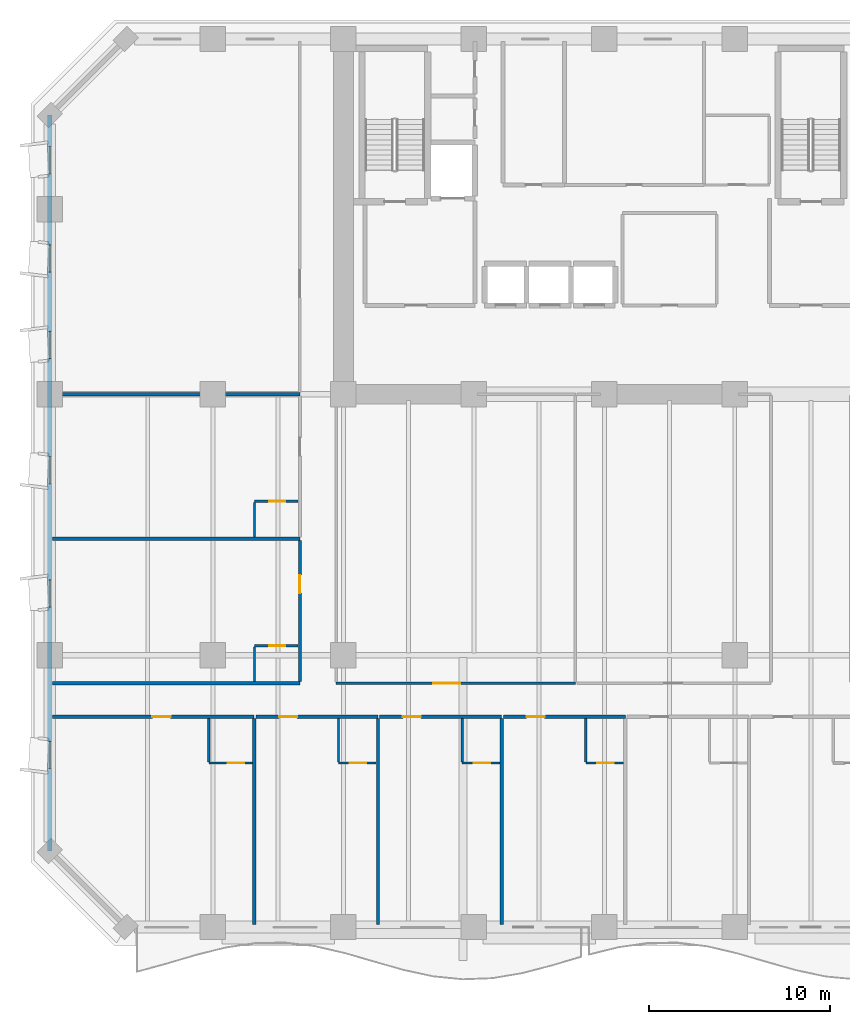
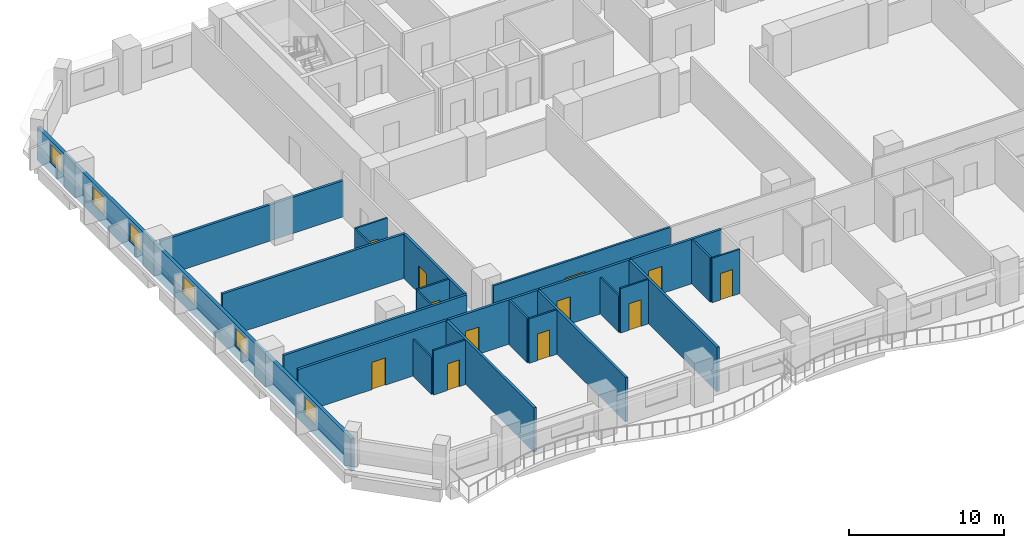
# One storey, part 4 of 15: 25 walls, 12 doors, 6 windows, 18 openings.
"""IFC4 building model written with IfcOpenShell, lengths in metres."""

import ifcopenshell
import ifcopenshell.guid

model = None  # the IFC model being written
_history = None  # IfcOwnerHistory: only IFC2X3 demands one
_inside = {}  # id of a spatial element -> (the spatial element, [elements in it])
_under = {}  # id of a project, library or spatial element -> (it, [spatial elements below it])
_declared = {}  # id of a project -> (the project, [libraries it declares])
_typed = {}  # id of a type object -> (the type object, [elements of that type])
_made_of = {}  # id of a material, layer set ... -> (it, [elements and type objects made of it])


def new_model(schema):
    """Start an empty IFC model of exactly this schema.

    Asked for "IFC4X3", IfcOpenShell would pick the latest addendum, in which some entities
    have other attributes; the version numbers below select the first issue.
    IFC2X3 requires an IfcOwnerHistory on every rooted entity: one is made here for all.
    """
    global model, _history
    if schema == "IFC4X3":
        model = ifcopenshell.file(schema_version=(4, 3, 0, 0))
    else:
        model = ifcopenshell.file(schema=schema)
    _inside.clear()
    _under.clear()
    _declared.clear()
    _typed.clear()
    _made_of.clear()
    _history = None
    if model.schema == "IFC2X3":
        org = make("IfcOrganization", Name="unknown")
        user = make(
            "IfcPersonAndOrganization",
            ThePerson=make("IfcPerson", FamilyName="unknown"),
            TheOrganization=org,
        )
        app = make(
            "IfcApplication",
            ApplicationDeveloper=org,
            Version="unknown",
            ApplicationFullName="unknown",
            ApplicationIdentifier="unknown",
        )
        _history = make(
            "IfcOwnerHistory",
            OwningUser=user,
            OwningApplication=app,
            ChangeAction="ADDED",
            CreationDate=0,
        )
    return model


def make(cls, **values):
    """One entity of the class cls with the attributes given. An attribute that is None is left unset."""
    return model.create_entity(
        cls, **{name: value for name, value in values.items() if value is not None}
    )


def rooted(cls, **values):
    """An entity with a GlobalId (a new one), such as an element, a storey or a relation."""
    return make(cls, GlobalId=ifcopenshell.guid.new(), OwnerHistory=_history, **values)


def si_unit(unit_type, name, prefix=None):
    """IfcSIUnit, for example si_unit("LENGTHUNIT", "METRE", prefix="MILLI")."""
    return make("IfcSIUnit", UnitType=unit_type, Prefix=prefix, Name=name)


def assignment(units):
    """IfcUnitAssignment: the units of a project."""
    return None if units is None else make("IfcUnitAssignment", Units=units)


def point(xyz):
    """IfcCartesianPoint."""
    return None if xyz is None else make("IfcCartesianPoint", Coordinates=xyz)


def direction(xyz):
    """IfcDirection."""
    return None if xyz is None else make("IfcDirection", DirectionRatios=xyz)


def frame(location, z_axis=None, x_axis=None):
    """IfcAxis2Placement3D, a coordinate frame: its origin and axes. An axis left out is left unset."""
    return make(
        "IfcAxis2Placement3D",
        Location=point(location),
        Axis=direction(z_axis),
        RefDirection=direction(x_axis),
    )


def frame_2d(location, x_axis=None):
    """IfcAxis2Placement2D, a coordinate frame in the plane: its origin and x axis."""
    return make(
        "IfcAxis2Placement2D", Location=point(location), RefDirection=direction(x_axis)
    )


def origin():
    """The frame at (0, 0, 0) with its axes left unset."""
    return frame((0.0, 0.0, 0.0))


def place(relative_to, where):
    """IfcLocalPlacement: puts the frame where relative to a parent placement (None: the world)."""
    return make(
        "IfcLocalPlacement", PlacementRelTo=relative_to, RelativePlacement=where
    )


def context(
    kind, dimensions, precision=None, world=None, true_north=None, identifier=None
):
    """IfcGeometricRepresentationContext, for example the 3D "Model" context."""
    return make(
        "IfcGeometricRepresentationContext",
        ContextIdentifier=identifier,
        ContextType=kind,
        CoordinateSpaceDimension=dimensions,
        Precision=precision,
        WorldCoordinateSystem=world,
        TrueNorth=true_north,
    )


def subcontext(parent, identifier, kind, view, scale=None):
    """IfcGeometricRepresentationSubContext, for example "Body" below "Model"."""
    return make(
        "IfcGeometricRepresentationSubContext",
        ContextIdentifier=identifier,
        ContextType=kind,
        ParentContext=parent,
        TargetScale=scale,
        TargetView=view,
    )


def project(units=None, contexts=None):
    """IfcProject with its units and contexts."""
    return rooted(
        "IfcProject",
        Name="project",
        RepresentationContexts=contexts,
        UnitsInContext=assignment(units),
    )


def spatial(cls, under=None, at=None, **own):
    """A site, building, storey or space (cls), placed at a placement, below another one or the project."""
    s = rooted(cls, ObjectPlacement=at, **own)
    if under is not None:
        _under.setdefault(under.id(), (under, []))[1].append(s)
    return s


def profile(cls, at=None, kind="AREA", **sizes):
    """A parametric profile (cls). Its sizes go by their IFC names, for example OverallWidth=200.0."""
    return make(cls, ProfileType=kind, Position=at, **sizes)


def rectangle(**sizes):
    """IfcRectangleProfileDef."""
    return profile("IfcRectangleProfileDef", **sizes)


def extrude(swept, where, along, depth):
    """IfcExtrudedAreaSolid: the profile swept, set in the frame where, extruded along a direction by depth."""
    return make(
        "IfcExtrudedAreaSolid",
        SweptArea=swept,
        Position=where,
        ExtrudedDirection=direction(along),
        Depth=depth,
    )


def shape(context_of_items, identifier, shape_type, items):
    """IfcShapeRepresentation: the items that make up one representation, for example the "Body"."""
    return make(
        "IfcShapeRepresentation",
        ContextOfItems=context_of_items,
        RepresentationIdentifier=identifier,
        RepresentationType=shape_type,
        Items=items,
    )


def material(Name=None, Category=None):
    """IfcMaterial."""
    return make("IfcMaterial", Name=Name, Category=Category)


def layer(
    of_material, thickness, ventilated=None, Name=None, Category=None, Priority=None
):
    """IfcMaterialLayer: one layer of a wall or slab, of a material (None: an air gap)."""
    return make(
        "IfcMaterialLayer",
        Material=of_material,
        LayerThickness=thickness,
        IsVentilated=ventilated,
        Name=Name,
        Category=Category,
        Priority=Priority,
    )


def layer_set(layers, Name=None):
    """IfcMaterialLayerSet."""
    return make("IfcMaterialLayerSet", MaterialLayers=layers, LayerSetName=Name)


def made_of(thing, what):
    """Note that an element or type object is made of a material, layer set ...; save() writes the relation."""
    if what is not None:
        _made_of.setdefault(what.id(), (what, []))[1].append(thing)
    return thing


def type_object(cls, material=None, **own):
    """A type object (cls), such as IfcWallType, which elements share."""
    return made_of(rooted(cls, **own), material)


def element(
    cls,
    number,
    at=None,
    inside=None,
    cuts=None,
    type_object=None,
    material=None,
    context=None,
    identifier="Body",
    shape_type=None,
    held_by="IfcProductDefinitionShape",
    body=None,
    shapes=None,
    **own,
):
    """One element of the class cls, such as IfcWall. Its Tag is "e" and its number.

    at: its placement. inside: the storey or other place that contains it. cuts: it is an
    opening in that element (IfcRelVoidsElement). A single representation is given by context,
    identifier, shape_type and body (its items); several are given by shapes. held_by: the class
    of the entity that holds the representations. save() writes the other relations.
    """
    e = rooted(cls, Tag="e%d" % number, ObjectPlacement=at, **own)
    if body is not None:
        shapes = [shape(context, identifier, shape_type, body)]
    if shapes is not None:
        e.Representation = make(held_by, Representations=shapes)
    if inside is not None:
        _inside.setdefault(inside.id(), (inside, []))[1].append(e)
    if cuts is not None:
        rooted(
            "IfcRelVoidsElement", RelatingBuildingElement=cuts, RelatedOpeningElement=e
        )
    if type_object is not None:
        _typed.setdefault(type_object.id(), (type_object, []))[1].append(e)
    return made_of(e, material)


def fill(opening, filler):
    """IfcRelFillsElement: the door or window that sits in an opening."""
    return rooted(
        "IfcRelFillsElement",
        RelatingOpeningElement=opening,
        RelatedBuildingElement=filler,
    )


def aggregate(whole, parts):
    """IfcRelAggregates: a whole, such as a stair, and the parts it consists of."""
    return rooted("IfcRelAggregates", RelatingObject=whole, RelatedObjects=parts)


def save(model, path):
    """Write the relations noted so far, then the file.

    IfcRelAggregates (storeys below a building ...), IfcRelContainedInSpatialStructure (elements
    in a storey), IfcRelDefinesByType, IfcRelAssociatesMaterial and IfcRelDeclares: one each for
    every whole, place, type object, material and project.
    """
    for whole, parts in _under.values():
        aggregate(whole, parts)
    for where, things in _inside.values():
        rooted(
            "IfcRelContainedInSpatialStructure",
            RelatedElements=things,
            RelatingStructure=where,
        )
    for kind, things in _typed.values():
        rooted("IfcRelDefinesByType", RelatedObjects=things, RelatingType=kind)
    for what, things in _made_of.values():
        rooted("IfcRelAssociatesMaterial", RelatedObjects=things, RelatingMaterial=what)
    for by, libraries in _declared.values():
        rooted("IfcRelDeclares", RelatingContext=by, RelatedDefinitions=libraries)
    model.write(path)


model = new_model("IFC4")

# Units and contexts
model_context = context("Model", 3, precision=1e-05, world=origin(), true_north=direction((0.0, 1.0)))
body_context = subcontext(model_context, "Body", "Model", "MODEL_VIEW")
ifc_project = project(units=[si_unit("LENGTHUNIT", "METRE"), si_unit("AREAUNIT", "SQUARE_METRE"), si_unit("VOLUMEUNIT", "CUBIC_METRE"), si_unit("PLANEANGLEUNIT", "RADIAN"), si_unit("MASSUNIT", "GRAM", prefix="KILO")], contexts=[model_context])

# Site, building, storey
site_placement = place(None, origin())
site = spatial("IfcSite", under=ifc_project, at=site_placement, CompositionType="ELEMENT")
building_placement = place(site_placement, origin())
building = spatial("IfcBuilding", under=site, at=building_placement, Name="Kaelvorn Grand Hotel", CompositionType="ELEMENT")
storey_placement = place(building_placement, frame((0.0, 0.0, 50.14990234375)))
storey = spatial("IfcBuildingStorey", under=building, at=storey_placement, Name="L10", CompositionType="ELEMENT", Elevation=50.14990234375)

# Wall, openings, windows
ifc_material_1 = material(Name="Concrete C40/50", Category="concrete")
ifc_layer_1 = layer(ifc_material_1, 0.260009765625)
ifc_layer_set_1 = layer_set([ifc_layer_1], Name="Concrete C40/50")
wall_type_1 = type_object("IfcWallType", Name="WL-EXT-260-C40", PredefinedType="SOLIDWALL", material=ifc_layer_set_1)
wall_1_placement = place(storey_placement, frame((0.0, 44.800048828125, 0.0), z_axis=(0.0, 0.0, 1.0), x_axis=(0.0, -1.0, 0.0)))
wall_1 = element("IfcWall", 1, at=wall_1_placement, inside=storey, type_object=wall_type_1, Name="L10 Exterior Architectural Concrete Wall 07", PredefinedType="SOLIDWALL", context=body_context, shape_type="SweptSolid", body=[
    extrude(rectangle(XDim=40.60009765625, YDim=0.260009765625, at=frame_2d((20.300048828125, 0.0))), origin(), (0.0, 0.0, 1.0), 2.56005859375),
])
opening_1_placement = place(wall_1_placement, frame((34.550048828125, 0.0, 0.85009765625)))
opening_1 = element("IfcOpeningElement", 2, at=opening_1_placement, cuts=wall_1, Name="Opening W10", PredefinedType="OPENING", context=body_context, shape_type="SweptSolid", body=[
    extrude(rectangle(XDim=1.5, YDim=1.39990234375, at=frame_2d((0.75, 0.699951171875))), frame((0.0, 0.14013671875, 0.0), z_axis=(0.0, -1.0, 0.0), x_axis=(1.0, 0.0, 0.0)), (0.0, 0.0, 1.0), 0.280029296875),
])
opening_2_placement = place(wall_1_placement, frame((25.639892578125, 0.0, 0.85009765625)))
opening_2 = element("IfcOpeningElement", 3, at=opening_2_placement, cuts=wall_1, Name="Opening W10", PredefinedType="OPENING", context=body_context, shape_type="SweptSolid", body=[
    extrude(rectangle(XDim=1.5, YDim=1.39990234375, at=frame_2d((0.75, 0.699951171875))), frame((0.0, 0.14013671875, 0.0), z_axis=(0.0, -1.0, 0.0), x_axis=(1.0, 0.0, 0.0)), (0.0, 0.0, 1.0), 0.280029296875),
])
opening_3_placement = place(wall_1_placement, frame((18.840087890625, 0.0, 0.85009765625)))
opening_3 = element("IfcOpeningElement", 4, at=opening_3_placement, cuts=wall_1, Name="Opening W10", PredefinedType="OPENING", context=body_context, shape_type="SweptSolid", body=[
    extrude(rectangle(XDim=1.5, YDim=1.39990234375, at=frame_2d((0.75, 0.699951171875))), frame((0.0, 0.14013671875, 0.0), z_axis=(0.0, -1.0, 0.0), x_axis=(1.0, 0.0, 0.0)), (0.0, 0.0, 1.0), 0.280029296875),
])
opening_4_placement = place(wall_1_placement, frame((11.93505859375, 0.0, 0.85009765625)))
opening_4 = element("IfcOpeningElement", 5, at=opening_4_placement, cuts=wall_1, Name="Opening W10", PredefinedType="OPENING", context=body_context, shape_type="SweptSolid", body=[
    extrude(rectangle(XDim=1.5, YDim=1.39990234375, at=frame_2d((0.75, 0.699951171875))), frame((0.0, 0.14013671875, 0.0), z_axis=(0.0, -1.0, 0.0), x_axis=(1.0, 0.0, 0.0)), (0.0, 0.0, 1.0), 0.280029296875),
])
opening_5_placement = place(wall_1_placement, frame((7.1650390625, 0.0, 0.85009765625)))
opening_5 = element("IfcOpeningElement", 6, at=opening_5_placement, cuts=wall_1, Name="Opening W10", PredefinedType="OPENING", context=body_context, shape_type="SweptSolid", body=[
    extrude(rectangle(XDim=1.5, YDim=1.39990234375, at=frame_2d((0.75, 0.699951171875))), frame((0.0, 0.14013671875, 0.0), z_axis=(0.0, -1.0, 0.0), x_axis=(1.0, 0.0, 0.0)), (0.0, 0.0, 1.0), 0.280029296875),
])
opening_6_placement = place(wall_1_placement, frame((1.735107421875, 0.0, 0.85009765625)))
opening_6 = element("IfcOpeningElement", 7, at=opening_6_placement, cuts=wall_1, Name="Opening W10", PredefinedType="OPENING", context=body_context, shape_type="SweptSolid", body=[
    extrude(rectangle(XDim=1.5, YDim=1.39990234375, at=frame_2d((0.75, 0.699951171875))), frame((0.0, 0.14013671875, 0.0), z_axis=(0.0, -1.0, 0.0), x_axis=(1.0, 0.0, 0.0)), (0.0, 0.0, 1.0), 0.280029296875),
])
ifc_material_2 = material(Name="Laminated Low-E Glass", Category="glass")
window_type = type_object("IfcWindowType", Name="WIN-COR-1500x1400", PartitioningType="SINGLE_PANEL", PredefinedType="WINDOW", material=ifc_material_2)
window_1_placement = place(opening_1_placement, origin())
window_1 = element("IfcWindow", 8, at=window_1_placement, inside=storey, type_object=window_type, Name="L10 W Wing Tilted-Frame Ribbon Window W01", OverallHeight=1.39990234375, OverallWidth=1.5, PartitioningType="SINGLE_PANEL", PredefinedType="WINDOW", context=body_context, shape_type="SweptSolid", body=[
    extrude(rectangle(XDim=1.5, YDim=1.39990234375, at=frame_2d((0.75, 0.699951171875))), frame((0.0, 0.030029296875, 0.0), z_axis=(0.0, -1.0, 0.0), x_axis=(1.0, 0.0, 0.0)), (0.0, 0.0, 1.0), 0.06005859375),
])
fill(opening_1, window_1)
window_2_placement = place(opening_2_placement, origin())
window_2 = element("IfcWindow", 9, at=window_2_placement, inside=storey, type_object=window_type, Name="L10 W Wing Tilted-Frame Ribbon Window W02", OverallHeight=1.39990234375, OverallWidth=1.5, PartitioningType="SINGLE_PANEL", PredefinedType="WINDOW", context=body_context, shape_type="SweptSolid", body=[
    extrude(rectangle(XDim=1.5, YDim=1.39990234375, at=frame_2d((0.75, 0.699951171875))), frame((0.0, 0.030029296875, 0.0), z_axis=(0.0, -1.0, 0.0), x_axis=(1.0, 0.0, 0.0)), (0.0, 0.0, 1.0), 0.06005859375),
])
fill(opening_2, window_2)
window_3_placement = place(opening_3_placement, origin())
window_3 = element("IfcWindow", 10, at=window_3_placement, inside=storey, type_object=window_type, Name="L10 W Wing Tilted-Frame Ribbon Window W03", OverallHeight=1.39990234375, OverallWidth=1.5, PartitioningType="SINGLE_PANEL", PredefinedType="WINDOW", context=body_context, shape_type="SweptSolid", body=[
    extrude(rectangle(XDim=1.5, YDim=1.39990234375, at=frame_2d((0.75, 0.699951171875))), frame((0.0, 0.030029296875, 0.0), z_axis=(0.0, -1.0, 0.0), x_axis=(1.0, 0.0, 0.0)), (0.0, 0.0, 1.0), 0.06005859375),
])
fill(opening_3, window_3)
window_4_placement = place(opening_4_placement, origin())
window_4 = element("IfcWindow", 11, at=window_4_placement, inside=storey, type_object=window_type, Name="L10 W Wing Tilted-Frame Ribbon Window W04", OverallHeight=1.39990234375, OverallWidth=1.5, PartitioningType="SINGLE_PANEL", PredefinedType="WINDOW", context=body_context, shape_type="SweptSolid", body=[
    extrude(rectangle(XDim=1.5, YDim=1.39990234375, at=frame_2d((0.75, 0.699951171875))), frame((0.0, 0.030029296875, 0.0), z_axis=(0.0, -1.0, 0.0), x_axis=(1.0, 0.0, 0.0)), (0.0, 0.0, 1.0), 0.06005859375),
])
fill(opening_4, window_4)
window_5_placement = place(opening_5_placement, origin())
window_5 = element("IfcWindow", 12, at=window_5_placement, inside=storey, type_object=window_type, Name="L10 W Wing Tilted-Frame Ribbon Window W05", OverallHeight=1.39990234375, OverallWidth=1.5, PartitioningType="SINGLE_PANEL", PredefinedType="WINDOW", context=body_context, shape_type="SweptSolid", body=[
    extrude(rectangle(XDim=1.5, YDim=1.39990234375, at=frame_2d((0.75, 0.699951171875))), frame((0.0, 0.030029296875, 0.0), z_axis=(0.0, -1.0, 0.0), x_axis=(1.0, 0.0, 0.0)), (0.0, 0.0, 1.0), 0.06005859375),
])
fill(opening_5, window_5)
window_6_placement = place(opening_6_placement, origin())
window_6 = element("IfcWindow", 13, at=window_6_placement, inside=storey, type_object=window_type, Name="L10 W Wing Tilted-Frame Ribbon Window W06", OverallHeight=1.39990234375, OverallWidth=1.5, PartitioningType="SINGLE_PANEL", PredefinedType="WINDOW", context=body_context, shape_type="SweptSolid", body=[
    extrude(rectangle(XDim=1.5, YDim=1.39990234375, at=frame_2d((0.75, 0.699951171875))), frame((0.0, 0.030029296875, 0.0), z_axis=(0.0, -1.0, 0.0), x_axis=(1.0, 0.0, 0.0)), (0.0, 0.0, 1.0), 0.06005859375),
])
fill(opening_6, window_6)

# Wall, opening, door
ifc_material_3 = material(Name="Moisture-Resistant Tile & Stud Board")
ifc_layer_2 = layer(ifc_material_3, 0.125)
ifc_layer_set_2 = layer_set([ifc_layer_2], Name="Moisture-Resistant Tile & Stud Board")
wall_type_2 = type_object("IfcWallType", Name="WL-PART-125-WET", PredefinedType="PARTITIONING", material=ifc_layer_set_2)
wall_2_placement = place(storey_placement, frame((8.77734375, 9.050048828125, 0.0), z_axis=(0.0, 0.0, 1.0), x_axis=(1.0, 0.0, 0.0)))
wall_2 = element("IfcWall", 14, at=wall_2_placement, inside=storey, type_object=wall_type_2, Name="L10 En-suite Bathroom L10-01 S Partition", PredefinedType="PARTITIONING", context=body_context, shape_type="SweptSolid", body=[
    extrude(rectangle(XDim=2.405029296875, YDim=0.125, at=frame_2d((1.20263671875, 0.0))), origin(), (0.0, 0.0, 1.0), 3.510009765625),
])
opening_7_placement = place(wall_2_placement, frame((1.050048828125, 0.0, 0.0)))
opening_7 = element("IfcOpeningElement", 15, at=opening_7_placement, cuts=wall_2, Name="Opening DI4", PredefinedType="OPENING", context=body_context, shape_type="SweptSolid", body=[
    extrude(rectangle(XDim=0.89990234375, YDim=2.10009765625, at=frame_2d((0.449951171875, 1.050048828125))), frame((0.0, 0.072509765625, 0.0), z_axis=(0.0, -1.0, 0.0), x_axis=(1.0, 0.0, 0.0)), (0.0, 0.0, 1.0), 0.14501953125),
])
ifc_material_4 = material(Name="Timber Veneer Leaf", Category="wood")
door_type_1 = type_object("IfcDoorType", Name="DR-INT-BATH-900x2100", OperationType="NOTDEFINED", PredefinedType="DOOR", material=ifc_material_4)
door_1_placement = place(opening_7_placement, origin())
door_1 = element("IfcDoor", 16, at=door_1_placement, inside=storey, type_object=door_type_1, Name="L10 En-suite Bathroom L10-01 Door", OperationType="SINGLE_SWING_LEFT", OverallHeight=2.10009765625, OverallWidth=0.89990234375, PredefinedType="DOOR", context=body_context, shape_type="SweptSolid", body=[
    extrude(rectangle(XDim=0.89990234375, YDim=2.10009765625, at=frame_2d((0.449951171875, 1.050048828125))), frame((0.0, 0.02490234375, 0.0), z_axis=(0.0, -1.0, 0.0), x_axis=(1.0, 0.0, 0.0)), (0.0, 0.0, 1.0), 0.050048828125),
])
fill(opening_7, door_1)

# Wall
wall_3_placement = place(storey_placement, frame((8.77734375, 9.117431640625, 0.0), z_axis=(0.0, 0.0, 1.0), x_axis=(0.0, 1.0, 0.0)))
element("IfcWall", 17, at=wall_3_placement, inside=storey, type_object=wall_type_2, Name="L10 En-suite Bathroom L10-01 W Partition", PredefinedType="PARTITIONING", context=body_context, shape_type="SweptSolid", body=[
    extrude(rectangle(XDim=2.387451171875, YDim=0.125, at=frame_2d((1.19384765625, 0.0))), origin(), (0.0, 0.0, 1.0), 2.89794921875),
])

# Wall, opening, door
wall_4_placement = place(storey_placement, frame((15.924560546875, 9.050048828125, 0.0), z_axis=(0.0, 0.0, 1.0), x_axis=(1.0, 0.0, 0.0)))
wall_4 = element("IfcWall", 18, at=wall_4_placement, inside=storey, type_object=wall_type_2, Name="L10 En-suite Bathroom L10-02 S Partition", PredefinedType="PARTITIONING", context=body_context, shape_type="SweptSolid", body=[
    extrude(rectangle(XDim=2.0849609375, YDim=0.125, at=frame_2d((1.04248046875, 0.0))), origin(), (0.0, 0.0, 1.0), 3.510009765625),
])
opening_8_placement = place(wall_4_placement, frame((0.639892578125, 0.0, 0.0)))
opening_8 = element("IfcOpeningElement", 19, at=opening_8_placement, cuts=wall_4, Name="Opening DI4", PredefinedType="OPENING", context=body_context, shape_type="SweptSolid", body=[
    extrude(rectangle(XDim=0.89990234375, YDim=2.10009765625, at=frame_2d((0.449951171875, 1.050048828125))), frame((0.0, 0.072509765625, 0.0), z_axis=(0.0, -1.0, 0.0), x_axis=(1.0, 0.0, 0.0)), (0.0, 0.0, 1.0), 0.14501953125),
])
door_2_placement = place(opening_8_placement, origin())
door_2 = element("IfcDoor", 20, at=door_2_placement, inside=storey, type_object=door_type_1, Name="L10 En-suite Bathroom L10-02 Door", OperationType="SINGLE_SWING_LEFT", OverallHeight=2.10009765625, OverallWidth=0.89990234375, PredefinedType="DOOR", context=body_context, shape_type="SweptSolid", body=[
    extrude(rectangle(XDim=0.89990234375, YDim=2.10009765625, at=frame_2d((0.449951171875, 1.050048828125))), frame((0.0, 0.02490234375, 0.0), z_axis=(0.0, -1.0, 0.0), x_axis=(1.0, 0.0, 0.0)), (0.0, 0.0, 1.0), 0.050048828125),
])
fill(opening_8, door_2)

# Wall
wall_5_placement = place(storey_placement, frame((15.924560546875, 9.117431640625, 0.0), z_axis=(0.0, 0.0, 1.0), x_axis=(0.0, 1.0, 0.0)))
element("IfcWall", 21, at=wall_5_placement, inside=storey, type_object=wall_type_2, Name="L10 En-suite Bathroom L10-02 W Partition", PredefinedType="PARTITIONING", context=body_context, shape_type="SweptSolid", body=[
    extrude(rectangle(XDim=2.387451171875, YDim=0.125, at=frame_2d((1.19384765625, 0.0))), origin(), (0.0, 0.0, 1.0), 3.510009765625),
])

# Wall, opening, door
wall_6_placement = place(storey_placement, frame((22.751708984375, 9.050048828125, 0.0), z_axis=(0.0, 0.0, 1.0), x_axis=(1.0, 0.0, 0.0)))
wall_6 = element("IfcWall", 22, at=wall_6_placement, inside=storey, type_object=wall_type_2, Name="L10 En-suite Bathroom L10-03 S Partition", PredefinedType="PARTITIONING", context=body_context, shape_type="SweptSolid", body=[
    extrude(rectangle(XDim=2.085205078125, YDim=0.125, at=frame_2d((1.04248046875, 0.0))), origin(), (0.0, 0.0, 1.0), 3.510009765625),
])
opening_9_placement = place(wall_6_placement, frame((0.639892578125, 0.0, 0.0)))
opening_9 = element("IfcOpeningElement", 23, at=opening_9_placement, cuts=wall_6, Name="Opening DI4", PredefinedType="OPENING", context=body_context, shape_type="SweptSolid", body=[
    extrude(rectangle(XDim=0.89990234375, YDim=2.10009765625, at=frame_2d((0.449951171875, 1.050048828125))), frame((0.0, 0.072509765625, 0.0), z_axis=(0.0, -1.0, 0.0), x_axis=(1.0, 0.0, 0.0)), (0.0, 0.0, 1.0), 0.14501953125),
])
door_3_placement = place(opening_9_placement, origin())
door_3 = element("IfcDoor", 24, at=door_3_placement, inside=storey, type_object=door_type_1, Name="L10 En-suite Bathroom L10-03 Door", OperationType="SINGLE_SWING_LEFT", OverallHeight=2.10009765625, OverallWidth=0.89990234375, PredefinedType="DOOR", context=body_context, shape_type="SweptSolid", body=[
    extrude(rectangle(XDim=0.89990234375, YDim=2.10009765625, at=frame_2d((0.449951171875, 1.050048828125))), frame((0.0, 0.02490234375, 0.0), z_axis=(0.0, -1.0, 0.0), x_axis=(1.0, 0.0, 0.0)), (0.0, 0.0, 1.0), 0.050048828125),
])
fill(opening_9, door_3)

# Wall
wall_7_placement = place(storey_placement, frame((22.751708984375, 9.117431640625, 0.0), z_axis=(0.0, 0.0, 1.0), x_axis=(0.0, 1.0, 0.0)))
element("IfcWall", 25, at=wall_7_placement, inside=storey, type_object=wall_type_2, Name="L10 En-suite Bathroom L10-03 W Partition", PredefinedType="PARTITIONING", context=body_context, shape_type="SweptSolid", body=[
    extrude(rectangle(XDim=2.387451171875, YDim=0.125, at=frame_2d((1.19384765625, 0.0))), origin(), (0.0, 0.0, 1.0), 2.880126953125),
])

# Wall, opening, door
wall_8_placement = place(storey_placement, frame((29.5791015625, 9.050048828125, 0.0), z_axis=(0.0, 0.0, 1.0), x_axis=(1.0, 0.0, 0.0)))
wall_8 = element("IfcWall", 26, at=wall_8_placement, inside=storey, type_object=wall_type_2, Name="L10 En-suite Bathroom L10-04 S Partition", PredefinedType="PARTITIONING", context=body_context, shape_type="SweptSolid", body=[
    extrude(rectangle(XDim=2.0849609375, YDim=0.125, at=frame_2d((1.04248046875, 0.0))), origin(), (0.0, 0.0, 1.0), 3.510009765625),
])
opening_10_placement = place(wall_8_placement, frame((0.639892578125, 0.0, 0.0)))
opening_10 = element("IfcOpeningElement", 27, at=opening_10_placement, cuts=wall_8, Name="Opening DI4", PredefinedType="OPENING", context=body_context, shape_type="SweptSolid", body=[
    extrude(rectangle(XDim=0.89990234375, YDim=2.10009765625, at=frame_2d((0.449951171875, 1.050048828125))), frame((0.0, 0.072509765625, 0.0), z_axis=(0.0, -1.0, 0.0), x_axis=(1.0, 0.0, 0.0)), (0.0, 0.0, 1.0), 0.14501953125),
])
door_4_placement = place(opening_10_placement, origin())
door_4 = element("IfcDoor", 28, at=door_4_placement, inside=storey, type_object=door_type_1, Name="L10 En-suite Bathroom L10-04 Door", OperationType="SINGLE_SWING_LEFT", OverallHeight=2.10009765625, OverallWidth=0.89990234375, PredefinedType="DOOR", context=body_context, shape_type="SweptSolid", body=[
    extrude(rectangle(XDim=0.89990234375, YDim=2.10009765625, at=frame_2d((0.449951171875, 1.050048828125))), frame((0.0, 0.02490234375, 0.0), z_axis=(0.0, -1.0, 0.0), x_axis=(1.0, 0.0, 0.0)), (0.0, 0.0, 1.0), 0.050048828125),
])
fill(opening_10, door_4)

# Wall
wall_9_placement = place(storey_placement, frame((29.5791015625, 9.117431640625, 0.0), z_axis=(0.0, 0.0, 1.0), x_axis=(0.0, 1.0, 0.0)))
element("IfcWall", 29, at=wall_9_placement, inside=storey, type_object=wall_type_2, Name="L10 En-suite Bathroom L10-04 W Partition", PredefinedType="PARTITIONING", context=body_context, shape_type="SweptSolid", body=[
    extrude(rectangle(XDim=2.387451171875, YDim=0.125, at=frame_2d((1.19384765625, 0.0))), origin(), (0.0, 0.0, 1.0), 3.510009765625),
])

# Wall, opening, door
wall_10_placement = place(storey_placement, frame((11.300048828125, 15.52001953125, 0.0), z_axis=(0.0, 0.0, 1.0), x_axis=(1.0, 0.0, 0.0)))
wall_10 = element("IfcWall", 30, at=wall_10_placement, inside=storey, type_object=wall_type_2, Name="L10 En-suite Bathroom L10-12 N Partition", PredefinedType="PARTITIONING", context=body_context, shape_type="SweptSolid", body=[
    extrude(rectangle(XDim=2.405029296875, YDim=0.125, at=frame_2d((1.20263671875, 0.0))), origin(), (0.0, 0.0, 1.0), 3.510009765625),
])
opening_11_placement = place(wall_10_placement, frame((0.800048828125, 0.0, 0.0)))
opening_11 = element("IfcOpeningElement", 31, at=opening_11_placement, cuts=wall_10, Name="Opening DI4", PredefinedType="OPENING", context=body_context, shape_type="SweptSolid", body=[
    extrude(rectangle(XDim=0.89990234375, YDim=2.10009765625, at=frame_2d((0.449951171875, 1.050048828125))), frame((0.0, 0.072509765625, 0.0), z_axis=(0.0, -1.0, 0.0), x_axis=(1.0, 0.0, 0.0)), (0.0, 0.0, 1.0), 0.14501953125),
])
door_5_placement = place(opening_11_placement, origin())
door_5 = element("IfcDoor", 32, at=door_5_placement, inside=storey, type_object=door_type_1, Name="L10 En-suite Bathroom L10-12 Door", OperationType="SINGLE_SWING_LEFT", OverallHeight=2.10009765625, OverallWidth=0.89990234375, PredefinedType="DOOR", context=body_context, shape_type="SweptSolid", body=[
    extrude(rectangle(XDim=0.89990234375, YDim=2.10009765625, at=frame_2d((0.449951171875, 1.050048828125))), frame((0.0, 0.02490234375, 0.0), z_axis=(0.0, -1.0, 0.0), x_axis=(1.0, 0.0, 0.0)), (0.0, 0.0, 1.0), 0.050048828125),
])
fill(opening_11, door_5)

# Wall
wall_11_placement = place(storey_placement, frame((11.300048828125, 13.544921875, 0.0), z_axis=(0.0, 0.0, 1.0), x_axis=(0.0, 1.0, 0.0)))
element("IfcWall", 33, at=wall_11_placement, inside=storey, type_object=wall_type_2, Name="L10 En-suite Bathroom L10-12 W Partition", PredefinedType="PARTITIONING", context=body_context, shape_type="SweptSolid", body=[
    extrude(rectangle(XDim=1.907470703125, YDim=0.125, at=frame_2d((0.95361328125, 0.0))), origin(), (0.0, 0.0, 1.0), 3.510009765625),
])

# Wall, opening, door
wall_12_placement = place(storey_placement, frame((11.300048828125, 23.489990234375, 0.0), z_axis=(0.0, 0.0, 1.0), x_axis=(1.0, 0.0, 0.0)))
wall_12 = element("IfcWall", 34, at=wall_12_placement, inside=storey, type_object=wall_type_2, Name="L10 En-suite Bathroom L10-13 N Partition", PredefinedType="PARTITIONING", context=body_context, shape_type="SweptSolid", body=[
    extrude(rectangle(XDim=2.405029296875, YDim=0.125, at=frame_2d((1.20263671875, 0.0))), origin(), (0.0, 0.0, 1.0), 3.510009765625),
])
opening_12_placement = place(wall_12_placement, frame((0.800048828125, 0.0, 0.0)))
opening_12 = element("IfcOpeningElement", 35, at=opening_12_placement, cuts=wall_12, Name="Opening DI4", PredefinedType="OPENING", context=body_context, shape_type="SweptSolid", body=[
    extrude(rectangle(XDim=0.89990234375, YDim=2.10009765625, at=frame_2d((0.449951171875, 1.050048828125))), frame((0.0, 0.072509765625, 0.0), z_axis=(0.0, -1.0, 0.0), x_axis=(1.0, 0.0, 0.0)), (0.0, 0.0, 1.0), 0.14501953125),
])
door_6_placement = place(opening_12_placement, origin())
door_6 = element("IfcDoor", 36, at=door_6_placement, inside=storey, type_object=door_type_1, Name="L10 En-suite Bathroom L10-13 Door", OperationType="SINGLE_SWING_LEFT", OverallHeight=2.10009765625, OverallWidth=0.89990234375, PredefinedType="DOOR", context=body_context, shape_type="SweptSolid", body=[
    extrude(rectangle(XDim=0.89990234375, YDim=2.10009765625, at=frame_2d((0.449951171875, 1.050048828125))), frame((0.0, 0.02490234375, 0.0), z_axis=(0.0, -1.0, 0.0), x_axis=(1.0, 0.0, 0.0)), (0.0, 0.0, 1.0), 0.050048828125),
])
fill(opening_12, door_6)

# Wall
wall_13_placement = place(storey_placement, frame((11.300048828125, 21.514892578125, 0.0), z_axis=(0.0, 0.0, 1.0), x_axis=(0.0, 1.0, 0.0)))
element("IfcWall", 37, at=wall_13_placement, inside=storey, type_object=wall_type_2, Name="L10 En-suite Bathroom L10-13 W Partition", PredefinedType="PARTITIONING", context=body_context, shape_type="SweptSolid", body=[
    extrude(rectangle(XDim=1.90771484375, YDim=0.125, at=frame_2d((0.953857421875, 0.0))), origin(), (0.0, 0.0, 1.0), 3.510009765625),
])

# Wall, opening, door
ifc_material_5 = material(Name="Acoustic Gypsum & Stud Partition")
ifc_layer_3 = layer(ifc_material_5, 0.14990234375)
ifc_layer_set_3 = layer_set([ifc_layer_3], Name="Acoustic Gypsum & Stud Partition")
wall_type_3 = type_object("IfcWallType", Name="WL-PART-150-EI60", PredefinedType="PARTITIONING", material=ifc_layer_set_3)
wall_14_placement = place(storey_placement, frame((15.800048828125, 13.449951171875, 0.0), z_axis=(0.0, 0.0, 1.0), x_axis=(1.0, 0.0, 0.0)))
wall_14 = element("IfcWall", 38, at=wall_14_placement, inside=storey, type_object=wall_type_3, Name="L10 Reading Library Lounge S Partition", PredefinedType="PARTITIONING", context=body_context, shape_type="SweptSolid", body=[
    extrude(rectangle(XDim=13.199951171875, YDim=0.14990234375, at=frame_2d((6.60009765625, 0.0))), origin(), (0.0, 0.0, 1.0), 3.510009765625),
])
opening_13_placement = place(wall_14_placement, frame((5.35009765625, 0.0, 0.0)))
opening_13 = element("IfcOpeningElement", 39, at=opening_13_placement, cuts=wall_14, Name="Opening DI5", PredefinedType="OPENING", context=body_context, shape_type="SweptSolid", body=[
    extrude(rectangle(XDim=1.5, YDim=2.25, at=frame_2d((0.75, 1.125))), frame((0.0, 0.0849609375, 0.0), z_axis=(0.0, -1.0, 0.0), x_axis=(1.0, 0.0, 0.0)), (0.0, 0.0, 1.0), 0.169921875),
])
ifc_material_6 = material(Name="Timber Veneer Fire Leaf", Category="wood")
door_type_2 = type_object("IfcDoorType", Name="DR-INT-SALON-1500x2250", OperationType="DOUBLE_DOOR_SINGLE_SWING", PredefinedType="DOOR", material=ifc_material_6)
door_7_placement = place(opening_13_placement, origin())
door_7 = element("IfcDoor", 40, at=door_7_placement, inside=storey, type_object=door_type_2, Name="L10 Reading Library Lounge Door", OperationType="DOUBLE_DOOR_SINGLE_SWING", OverallHeight=2.25, OverallWidth=1.5, PredefinedType="DOOR", context=body_context, shape_type="SweptSolid", body=[
    extrude(rectangle(XDim=1.5, YDim=2.25, at=frame_2d((0.75, 1.125))), frame((0.0, 0.02490234375, 0.0), z_axis=(0.0, -1.0, 0.0), x_axis=(1.0, 0.0, 0.0)), (0.0, 0.0, 1.0), 0.050048828125),
])
fill(opening_13, door_7)

ifc_layer_4 = layer(ifc_material_5, 0.179931640625)
ifc_layer_set_4 = layer_set([ifc_layer_4], Name="Acoustic Gypsum & Stud Partition")
wall_type_4 = type_object("IfcWallType", Name="WL-PART-180-EI60", PredefinedType="PARTITIONING", material=ifc_layer_set_4)
wall_15_placement = place(storey_placement, frame((0.14990234375, 11.60009765625, 0.0), z_axis=(0.0, 0.0, 1.0), x_axis=(1.0, 0.0, 0.0)))
wall_15 = element("IfcWall", 41, at=wall_15_placement, inside=storey, type_object=wall_type_4, Name="L10 Deluxe Panoramic Suite L10-01 N Partition", PredefinedType="PARTITIONING", context=body_context, shape_type="SweptSolid", body=[
    extrude(rectangle(XDim=11.12744140625, YDim=0.179931640625, at=frame_2d((5.563720703125, 0.0))), origin(), (0.0, 0.0, 1.0), 3.510009765625),
])
opening_14_placement = place(wall_15_placement, frame((5.513671875, 0.0, 0.0)))
opening_14 = element("IfcOpeningElement", 42, at=opening_14_placement, cuts=wall_15, Name="Opening DI3", PredefinedType="OPENING", context=body_context, shape_type="SweptSolid", body=[
    extrude(rectangle(XDim=1.0, YDim=2.14990234375, at=frame_2d((0.5, 1.074951171875))), frame((0.0, 0.10009765625, 0.0), z_axis=(0.0, -1.0, 0.0), x_axis=(1.0, 0.0, 0.0)), (0.0, 0.0, 1.0), 0.199951171875),
])
door_type_3 = type_object("IfcDoorType", Name="DR-INT-GUEST-1000x2150", OperationType="NOTDEFINED", PredefinedType="DOOR", material=ifc_material_6)
door_8_placement = place(opening_14_placement, origin())
door_8 = element("IfcDoor", 43, at=door_8_placement, inside=storey, type_object=door_type_3, Name="L10 Deluxe Panoramic Suite L10-01 Door", OperationType="SINGLE_SWING_RIGHT", OverallHeight=2.14990234375, OverallWidth=1.0, PredefinedType="DOOR", context=body_context, shape_type="SweptSolid", body=[
    extrude(rectangle(XDim=1.0, YDim=2.14990234375, at=frame_2d((0.5, 1.074951171875))), frame((0.0, 0.02490234375, 0.0), z_axis=(0.0, -1.0, 0.0), x_axis=(1.0, 0.0, 0.0)), (0.0, 0.0, 1.0), 0.050048828125),
])
fill(opening_14, door_8)

# Wall
wall_16_placement = place(storey_placement, frame((11.27734375, 0.14990234375, 0.0), z_axis=(0.0, 0.0, 1.0), x_axis=(0.0, 1.0, 0.0)))
element("IfcWall", 44, at=wall_16_placement, inside=storey, type_object=wall_type_4, Name="L10 Deluxe Panoramic Suite L10-01 E Partition", PredefinedType="PARTITIONING", context=body_context, shape_type="SweptSolid", body=[
    extrude(rectangle(XDim=11.35498046875, YDim=0.179931640625, at=frame_2d((5.677490234375, 0.0))), origin(), (0.0, 0.0, 1.0), 3.510009765625),
])

# Wall, opening, door
wall_17_placement = place(storey_placement, frame((11.372314453125, 11.60009765625, 0.0), z_axis=(0.0, 0.0, 1.0), x_axis=(1.0, 0.0, 0.0)))
wall_17 = element("IfcWall", 45, at=wall_17_placement, inside=storey, type_object=wall_type_4, Name="L10 Deluxe Panoramic Suite L10-02 N Partition", PredefinedType="PARTITIONING", context=body_context, shape_type="SweptSolid", body=[
    extrude(rectangle(XDim=6.732177734375, YDim=0.179931640625, at=frame_2d((3.3662109375, 0.0))), origin(), (0.0, 0.0, 1.0), 3.510009765625),
])
opening_15_placement = place(wall_17_placement, frame((1.278564453125, 0.0, 0.0)))
opening_15 = element("IfcOpeningElement", 46, at=opening_15_placement, cuts=wall_17, Name="Opening DI3", PredefinedType="OPENING", context=body_context, shape_type="SweptSolid", body=[
    extrude(rectangle(XDim=1.0, YDim=2.14990234375, at=frame_2d((0.5, 1.074951171875))), frame((0.0, 0.10009765625, 0.0), z_axis=(0.0, -1.0, 0.0), x_axis=(1.0, 0.0, 0.0)), (0.0, 0.0, 1.0), 0.199951171875),
])
door_9_placement = place(opening_15_placement, origin())
door_9 = element("IfcDoor", 47, at=door_9_placement, inside=storey, type_object=door_type_3, Name="L10 Deluxe Panoramic Suite L10-02 Door", OperationType="SINGLE_SWING_RIGHT", OverallHeight=2.14990234375, OverallWidth=1.0, PredefinedType="DOOR", context=body_context, shape_type="SweptSolid", body=[
    extrude(rectangle(XDim=1.0, YDim=2.14990234375, at=frame_2d((0.5, 1.074951171875))), frame((0.0, 0.02490234375, 0.0), z_axis=(0.0, -1.0, 0.0), x_axis=(1.0, 0.0, 0.0)), (0.0, 0.0, 1.0), 0.050048828125),
])
fill(opening_15, door_9)

# Wall
wall_18_placement = place(storey_placement, frame((18.1044921875, 0.14990234375, 0.0), z_axis=(0.0, 0.0, 1.0), x_axis=(0.0, 1.0, 0.0)))
element("IfcWall", 48, at=wall_18_placement, inside=storey, type_object=wall_type_4, Name="L10 Deluxe Panoramic Suite L10-02 E Partition", PredefinedType="PARTITIONING", context=body_context, shape_type="SweptSolid", body=[
    extrude(rectangle(XDim=11.35498046875, YDim=0.179931640625, at=frame_2d((5.677490234375, 0.0))), origin(), (0.0, 0.0, 1.0), 3.510009765625),
])

# Wall, opening, door
wall_19_placement = place(storey_placement, frame((18.199462890625, 11.60009765625, 0.0), z_axis=(0.0, 0.0, 1.0), x_axis=(1.0, 0.0, 0.0)))
wall_19 = element("IfcWall", 49, at=wall_19_placement, inside=storey, type_object=wall_type_4, Name="L10 Deluxe Panoramic Suite L10-03 N Partition", PredefinedType="PARTITIONING", context=body_context, shape_type="SweptSolid", body=[
    extrude(rectangle(XDim=6.732421875, YDim=0.179931640625, at=frame_2d((3.3662109375, 0.0))), origin(), (0.0, 0.0, 1.0), 3.510009765625),
])
opening_16_placement = place(wall_19_placement, frame((1.278564453125, 0.0, 0.0)))
opening_16 = element("IfcOpeningElement", 50, at=opening_16_placement, cuts=wall_19, Name="Opening DI3", PredefinedType="OPENING", context=body_context, shape_type="SweptSolid", body=[
    extrude(rectangle(XDim=1.0, YDim=2.14990234375, at=frame_2d((0.5, 1.074951171875))), frame((0.0, 0.10009765625, 0.0), z_axis=(0.0, -1.0, 0.0), x_axis=(1.0, 0.0, 0.0)), (0.0, 0.0, 1.0), 0.199951171875),
])
door_10_placement = place(opening_16_placement, origin())
door_10 = element("IfcDoor", 51, at=door_10_placement, inside=storey, type_object=door_type_3, Name="L10 Deluxe Panoramic Suite L10-03 Door", OperationType="SINGLE_SWING_RIGHT", OverallHeight=2.14990234375, OverallWidth=1.0, PredefinedType="DOOR", context=body_context, shape_type="SweptSolid", body=[
    extrude(rectangle(XDim=1.0, YDim=2.14990234375, at=frame_2d((0.5, 1.074951171875))), frame((0.0, 0.02490234375, 0.0), z_axis=(0.0, -1.0, 0.0), x_axis=(1.0, 0.0, 0.0)), (0.0, 0.0, 1.0), 0.050048828125),
])
fill(opening_16, door_10)

# Wall
wall_20_placement = place(storey_placement, frame((24.931884765625, 0.14990234375, 0.0), z_axis=(0.0, 0.0, 1.0), x_axis=(0.0, 1.0, 0.0)))
element("IfcWall", 52, at=wall_20_placement, inside=storey, type_object=wall_type_4, Name="L10 Deluxe Panoramic Suite L10-03 E Partition", PredefinedType="PARTITIONING", context=body_context, shape_type="SweptSolid", body=[
    extrude(rectangle(XDim=11.35498046875, YDim=0.179931640625, at=frame_2d((5.677490234375, 0.0))), origin(), (0.0, 0.0, 1.0), 3.510009765625),
])

# Wall, opening, door
wall_21_placement = place(storey_placement, frame((25.02685546875, 11.60009765625, 0.0), z_axis=(0.0, 0.0, 1.0), x_axis=(1.0, 0.0, 0.0)))
wall_21 = element("IfcWall", 53, at=wall_21_placement, inside=storey, type_object=wall_type_4, Name="L10 Deluxe Panoramic Suite L10-04 N Partition", PredefinedType="PARTITIONING", context=body_context, shape_type="SweptSolid", body=[
    extrude(rectangle(XDim=6.732177734375, YDim=0.179931640625, at=frame_2d((3.3662109375, 0.0))), origin(), (0.0, 0.0, 1.0), 3.510009765625),
])
opening_17_placement = place(wall_21_placement, frame((1.27880859375, 0.0, 0.0)))
opening_17 = element("IfcOpeningElement", 54, at=opening_17_placement, cuts=wall_21, Name="Opening DI3", PredefinedType="OPENING", context=body_context, shape_type="SweptSolid", body=[
    extrude(rectangle(XDim=1.0, YDim=2.14990234375, at=frame_2d((0.5, 1.074951171875))), frame((0.0, 0.10009765625, 0.0), z_axis=(0.0, -1.0, 0.0), x_axis=(1.0, 0.0, 0.0)), (0.0, 0.0, 1.0), 0.199951171875),
])
door_11_placement = place(opening_17_placement, origin())
door_11 = element("IfcDoor", 55, at=door_11_placement, inside=storey, type_object=door_type_3, Name="L10 Deluxe Panoramic Suite L10-04 Door", OperationType="SINGLE_SWING_RIGHT", OverallHeight=2.14990234375, OverallWidth=1.0, PredefinedType="DOOR", context=body_context, shape_type="SweptSolid", body=[
    extrude(rectangle(XDim=1.0, YDim=2.14990234375, at=frame_2d((0.5, 1.074951171875))), frame((0.0, 0.02490234375, 0.0), z_axis=(0.0, -1.0, 0.0), x_axis=(1.0, 0.0, 0.0)), (0.0, 0.0, 1.0), 0.050048828125),
])
fill(opening_17, door_11)

# Walls
for number, where, z_axis, x_axis, name in (
    (56, (0.14990234375, 13.449951171875, 0.0), (0.0, 0.0, 1.0), (1.0, 0.0, 0.0), "L10 West Wing Panoramic Suite L10-12 S Partition"),
    (57, (0.14990234375, 21.419921875, 0.0), (0.0, 0.0, 1.0), (1.0, 0.0, 0.0), "L10 West Wing Panoramic Suite L10-12 N Partition"),
):
    element("IfcWall", number, at=place(storey_placement, frame(where, z_axis=z_axis, x_axis=x_axis)), inside=storey, type_object=wall_type_4, Name=name, PredefinedType="PARTITIONING", context=body_context, shape_type="SweptSolid", body=[
        extrude(rectangle(XDim=13.650146484375, YDim=0.179931640625, at=frame_2d((6.8251953125, 0.0))), origin(), (0.0, 0.0, 1.0), 3.510009765625),
    ])

# Wall, opening, door
wall_22_placement = place(storey_placement, frame((13.800048828125, 13.544921875, 0.0), z_axis=(0.0, 0.0, 1.0), x_axis=(0.0, 1.0, 0.0)))
wall_22 = element("IfcWall", 58, at=wall_22_placement, inside=storey, type_object=wall_type_4, Name="L10 West Wing Panoramic Suite L10-12 E Partition", PredefinedType="PARTITIONING", context=body_context, shape_type="SweptSolid", body=[
    extrude(rectangle(XDim=7.780029296875, YDim=0.179931640625, at=frame_2d((3.89013671875, 0.0))), origin(), (0.0, 0.0, 1.0), 3.510009765625),
])
opening_18_placement = place(wall_22_placement, frame((4.875, 0.0, 0.0)))
opening_18 = element("IfcOpeningElement", 59, at=opening_18_placement, cuts=wall_22, Name="Opening DI3", PredefinedType="OPENING", context=body_context, shape_type="SweptSolid", body=[
    extrude(rectangle(XDim=1.0, YDim=2.14990234375, at=frame_2d((0.5, 1.074951171875))), frame((0.0, 0.10009765625, 0.0), z_axis=(0.0, -1.0, 0.0), x_axis=(1.0, 0.0, 0.0)), (0.0, 0.0, 1.0), 0.199951171875),
])
door_12_placement = place(opening_18_placement, origin())
door_12 = element("IfcDoor", 60, at=door_12_placement, inside=storey, type_object=door_type_3, Name="L10 West Wing Panoramic Suite L10-12 Door", OperationType="SINGLE_SWING_RIGHT", OverallHeight=2.14990234375, OverallWidth=1.0, PredefinedType="DOOR", context=body_context, shape_type="SweptSolid", body=[
    extrude(rectangle(XDim=1.0, YDim=2.14990234375, at=frame_2d((0.5, 1.074951171875))), frame((0.0, 0.02490234375, 0.0), z_axis=(0.0, -1.0, 0.0), x_axis=(1.0, 0.0, 0.0)), (0.0, 0.0, 1.0), 0.050048828125),
])
fill(opening_18, door_12)

# Wall
wall_23_placement = place(storey_placement, frame((0.14990234375, 29.39990234375, 0.0), z_axis=(0.0, 0.0, 1.0), x_axis=(1.0, 0.0, 0.0)))
element("IfcWall", 61, at=wall_23_placement, inside=storey, type_object=wall_type_4, Name="L10 West Mid-Wing Suite L10-13 N Partition", PredefinedType="PARTITIONING", context=body_context, shape_type="SweptSolid", body=[
    extrude(rectangle(XDim=13.650146484375, YDim=0.179931640625, at=frame_2d((6.8251953125, 0.0))), origin(), (0.0, 0.0, 1.0), 2.860107421875),
])

save(model, "model.ifc")
